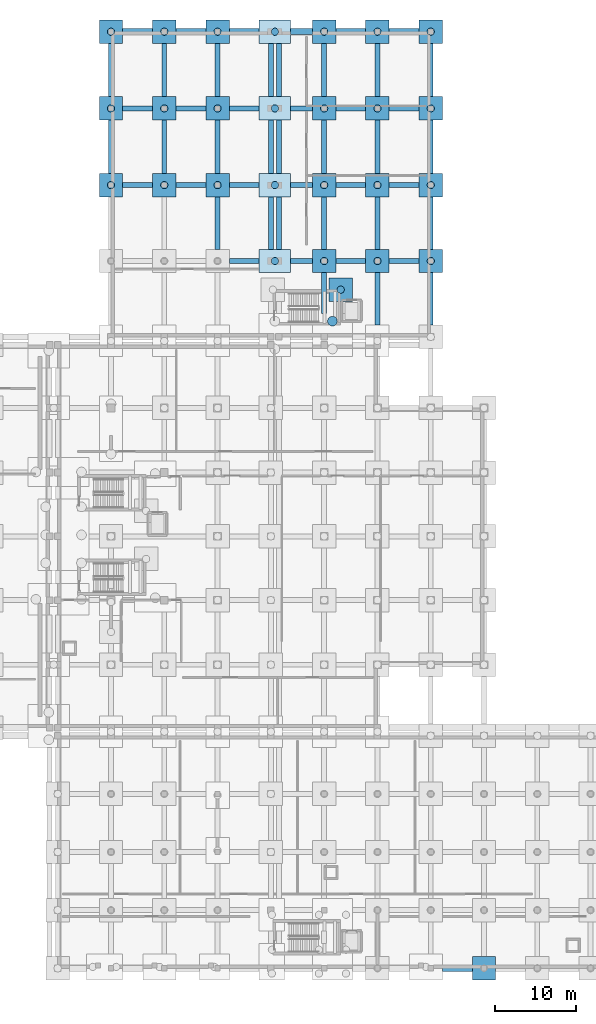
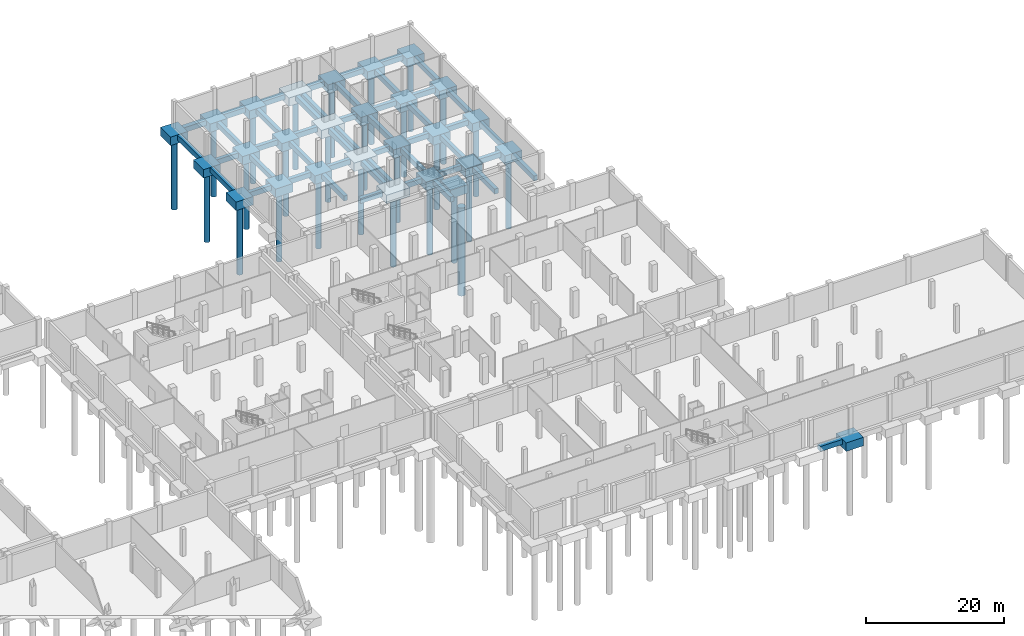
# One storey, part 10 of 29: 75 footings, 27 piles.
"""IFC4 building model written with IfcOpenShell, lengths in metres."""

from ifc_helpers import new_model, si_unit, direction, frame, origin, origin_2d, place, context, subcontext, project, spatial, polyline, rectangle, circle, outline, extrude, material, material_profile, profile_set, type_object, element, save


model = new_model("IFC4")

# Units and contexts
model_context = context("Model", 3, precision=1e-05, world=origin(), true_north=direction((0.0, 1.0)))
body_context = subcontext(model_context, "Body", "Model", "MODEL_VIEW")
ifc_project = project(units=[si_unit("LENGTHUNIT", "METRE"), si_unit("AREAUNIT", "SQUARE_METRE"), si_unit("VOLUMEUNIT", "CUBIC_METRE"), si_unit("PLANEANGLEUNIT", "RADIAN"), si_unit("MASSUNIT", "GRAM", prefix="KILO")], contexts=[model_context])

# Site, building, storey
site_placement = place(None, origin())
site = spatial("IfcSite", under=ifc_project, at=site_placement, CompositionType="ELEMENT")
building_placement = place(site_placement, origin())
building = spatial("IfcBuilding", under=site, at=building_placement, Name="Kelarvand Opera House", CompositionType="ELEMENT")
storey_placement = place(building_placement, frame((0.0, 0.0, -9.60009765625)))
storey = spatial("IfcBuildingStorey", under=building, at=storey_placement, Name="B2", CompositionType="ELEMENT", Elevation=-9.60009765625)

# Piles
ifc_material = material(Name="Concrete C40/50", Category="concrete")
ifc_material_profile_1 = material_profile(ifc_material, circle(Radius=0.60009765625, at=origin_2d()), Name="BP 1200", Category="concrete")
ifc_profile_set_1 = profile_set([ifc_material_profile_1], Name="Concrete C40/50")
pile_type_1 = type_object("IfcPileType", Name="Bored Pile 1200 Concrete C40/50", PredefinedType="BORED", material=ifc_profile_set_1)
pile_placement = place(storey_placement, frame((123.02490234375, 89.14990234375, -1.7998046875), z_axis=(0.0, 0.0, -1.0), x_axis=(1.0, 0.0, 0.0)))
element("IfcPile", 1, at=pile_placement, inside=storey, type_object=pile_type_1, Name="V1 Bored Pile 227", PredefinedType="BORED", context=body_context, shape_type="SweptSolid", body=[
    extrude(circle(Radius=0.60009765625, at=origin_2d()), origin(), (0.0, 0.0, 1.0), 15.60009765625),
])
ifc_material_profile_2 = material_profile(ifc_material, circle(Radius=0.449951171875, at=origin_2d()), Name="BP 900", Category="concrete")
ifc_profile_set_2 = profile_set([ifc_material_profile_2], Name="Concrete C40/50")
pile_type_2 = type_object("IfcPileType", Name="Bored Pile 900 Concrete C40/50", PredefinedType="BORED", material=ifc_profile_set_2)
for number, where, z_axis, x_axis, name in (
    (2, (124.050048828125, 93.050048828125, -1.7998046875), (0.0, 0.0, -1.0), (1.0, 0.0, 0.0), "V5 Bored Pile 245"),
    (3, (115.89990234375, 96.60009765625, -1.7998046875), (0.0, 0.0, -1.0), (1.0, 0.0, 0.0), "V5 Bored Pile 255"),
    (4, (122.0, 96.60009765625, -1.7998046875), (0.0, 0.0, -1.0), (1.0, 0.0, 0.0), "V5 Bored Pile 256"),
    (5, (128.60009765625, 96.60009765625, -1.7998046875), (0.0, 0.0, -1.0), (1.0, 0.0, 0.0), "V5 Bored Pile 257"),
    (6, (135.199951171875, 96.60009765625, -1.7998046875), (0.0, 0.0, -1.0), (1.0, 0.0, 0.0), "V5 Bored Pile 258"),
    (7, (95.60009765625, 106.0, -1.7998046875), (0.0, 0.0, -1.0), (1.0, 0.0, 0.0), "V5 Bored Pile 266"),
    (8, (102.199951171875, 106.0, -1.7998046875), (0.0, 0.0, -1.0), (1.0, 0.0, 0.0), "V5 Bored Pile 267"),
    (9, (108.800048828125, 106.0, -1.7998046875), (0.0, 0.0, -1.0), (1.0, 0.0, 0.0), "V5 Bored Pile 268"),
    (10, (115.89990234375, 106.0, -1.7998046875), (0.0, 0.0, -1.0), (1.0, 0.0, 0.0), "V5 Bored Pile 269"),
    (11, (122.0, 106.0, -1.7998046875), (0.0, 0.0, -1.0), (1.0, 0.0, 0.0), "V5 Bored Pile 270"),
    (12, (128.60009765625, 106.0, -1.7998046875), (0.0, 0.0, -1.0), (1.0, 0.0, 0.0), "V5 Bored Pile 271"),
    (13, (135.199951171875, 106.0, -1.7998046875), (0.0, 0.0, -1.0), (1.0, 0.0, 0.0), "V5 Bored Pile 272"),
    (14, (95.60009765625, 115.5, -1.7998046875), (0.0, 0.0, -1.0), (1.0, 0.0, 0.0), "V5 Bored Pile 280"),
    (15, (102.199951171875, 115.5, -1.7998046875), (0.0, 0.0, -1.0), (1.0, 0.0, 0.0), "V5 Bored Pile 281"),
    (16, (108.800048828125, 115.5, -1.7998046875), (0.0, 0.0, -1.0), (1.0, 0.0, 0.0), "V5 Bored Pile 282"),
    (17, (115.89990234375, 115.5, -1.7998046875), (0.0, 0.0, -1.0), (1.0, 0.0, 0.0), "V5 Bored Pile 283"),
    (18, (122.0, 115.5, -1.7998046875), (0.0, 0.0, -1.0), (1.0, 0.0, 0.0), "V5 Bored Pile 284"),
    (19, (128.60009765625, 115.5, -1.7998046875), (0.0, 0.0, -1.0), (1.0, 0.0, 0.0), "V5 Bored Pile 285"),
    (20, (135.199951171875, 115.5, -1.7998046875), (0.0, 0.0, -1.0), (1.0, 0.0, 0.0), "V5 Bored Pile 286"),
    (21, (95.60009765625, 125.0, -1.7998046875), (0.0, 0.0, -1.0), (1.0, 0.0, 0.0), "V5 Bored Pile 294"),
    (22, (102.199951171875, 125.0, -1.7998046875), (0.0, 0.0, -1.0), (1.0, 0.0, 0.0), "V5 Bored Pile 295"),
    (23, (108.800048828125, 125.0, -1.7998046875), (0.0, 0.0, -1.0), (1.0, 0.0, 0.0), "V5 Bored Pile 296"),
    (24, (115.89990234375, 125.0, -1.7998046875), (0.0, 0.0, -1.0), (1.0, 0.0, 0.0), "V5 Bored Pile 297"),
    (25, (122.0, 125.0, -1.7998046875), (0.0, 0.0, -1.0), (1.0, 0.0, 0.0), "V5 Bored Pile 298"),
    (26, (128.60009765625, 125.0, -1.7998046875), (0.0, 0.0, -1.0), (1.0, 0.0, 0.0), "V5 Bored Pile 299"),
    (27, (135.199951171875, 125.0, -1.7998046875), (0.0, 0.0, -1.0), (1.0, 0.0, 0.0), "V5 Bored Pile 300"),
):
    element("IfcPile", number, at=place(storey_placement, frame(where, z_axis=z_axis, x_axis=x_axis)), inside=storey, type_object=pile_type_2, Name=name, PredefinedType="BORED", context=body_context, shape_type="SweptSolid", body=[
        extrude(circle(Radius=0.449951171875, at=origin_2d()), origin(), (0.0, 0.0, 1.0), 12.60009765625),
    ])

# Footings
footing_type_1 = type_object("IfcFootingType", Name="Ground Tie Beam 600x900 Concrete C40/50", PredefinedType="FOOTING_BEAM", material=ifc_material)
footing_1_placement = place(storey_placement, frame((0.0, 0.0, -1.2998046875)))
element("IfcFooting", 28, at=footing_1_placement, inside=storey, type_object=footing_type_1, Name="Ground Beam 226", PredefinedType="FOOTING_BEAM", context=body_context, shape_type="SweptSolid", body=[
    extrude(outline(polyline([(110.25, 96.300048828125), (113.949951171875, 96.300048828125), (113.949951171875, 96.89990234375), (110.25, 96.89990234375), (110.25, 96.300048828125)])), origin(), (0.0, 0.0, 1.0), 0.89990234375),
])
footing_2_placement = place(storey_placement, frame((0.0, 0.0, -1.2998046875)))
element("IfcFooting", 29, at=footing_2_placement, inside=storey, type_object=footing_type_1, Name="Ground Beam 227", PredefinedType="FOOTING_BEAM", context=body_context, shape_type="SweptSolid", body=[
    extrude(outline(polyline([(117.85009765625, 96.300048828125), (120.550048828125, 96.300048828125), (120.550048828125, 96.89990234375), (117.85009765625, 96.89990234375), (117.85009765625, 96.300048828125)])), origin(), (0.0, 0.0, 1.0), 0.89990234375),
])
footing_3_placement = place(storey_placement, frame((0.0, 0.0, -1.2998046875)))
element("IfcFooting", 30, at=footing_3_placement, inside=storey, type_object=footing_type_1, Name="Ground Beam 228", PredefinedType="FOOTING_BEAM", context=body_context, shape_type="SweptSolid", body=[
    extrude(outline(polyline([(123.449951171875, 96.300048828125), (127.14990234375, 96.300048828125), (127.14990234375, 96.89990234375), (123.449951171875, 96.89990234375), (123.449951171875, 96.300048828125)])), origin(), (0.0, 0.0, 1.0), 0.89990234375),
])
footing_4_placement = place(storey_placement, frame((0.0, 0.0, -1.2998046875)))
element("IfcFooting", 31, at=footing_4_placement, inside=storey, type_object=footing_type_1, Name="Ground Beam 229", PredefinedType="FOOTING_BEAM", context=body_context, shape_type="SweptSolid", body=[
    extrude(outline(polyline([(130.050048828125, 96.300048828125), (133.75, 96.300048828125), (133.75, 96.89990234375), (130.050048828125, 96.89990234375), (130.050048828125, 96.300048828125)])), origin(), (0.0, 0.0, 1.0), 0.89990234375),
])
footing_5_placement = place(storey_placement, frame((0.0, 0.0, -1.2998046875)))
element("IfcFooting", 32, at=footing_5_placement, inside=storey, type_object=footing_type_1, Name="Ground Beam 235", PredefinedType="FOOTING_BEAM", context=body_context, shape_type="SweptSolid", body=[
    extrude(outline(polyline([(97.050048828125, 105.699951171875), (100.75, 105.699951171875), (100.75, 106.300048828125), (97.050048828125, 106.300048828125), (97.050048828125, 105.699951171875)])), origin(), (0.0, 0.0, 1.0), 0.89990234375),
])
footing_6_placement = place(storey_placement, frame((0.0, 0.0, -1.2998046875)))
element("IfcFooting", 33, at=footing_6_placement, inside=storey, type_object=footing_type_1, Name="Ground Beam 236", PredefinedType="FOOTING_BEAM", context=body_context, shape_type="SweptSolid", body=[
    extrude(outline(polyline([(103.64990234375, 105.699951171875), (107.35009765625, 105.699951171875), (107.35009765625, 106.300048828125), (103.64990234375, 106.300048828125), (103.64990234375, 105.699951171875)])), origin(), (0.0, 0.0, 1.0), 0.89990234375),
])
footing_7_placement = place(storey_placement, frame((0.0, 0.0, -1.2998046875)))
element("IfcFooting", 34, at=footing_7_placement, inside=storey, type_object=footing_type_1, Name="Ground Beam 237", PredefinedType="FOOTING_BEAM", context=body_context, shape_type="SweptSolid", body=[
    extrude(outline(polyline([(110.25, 105.699951171875), (113.949951171875, 105.699951171875), (113.949951171875, 106.300048828125), (110.25, 106.300048828125), (110.25, 105.699951171875)])), origin(), (0.0, 0.0, 1.0), 0.89990234375),
])
footing_8_placement = place(storey_placement, frame((0.0, 0.0, -1.2998046875)))
element("IfcFooting", 35, at=footing_8_placement, inside=storey, type_object=footing_type_1, Name="Ground Beam 238", PredefinedType="FOOTING_BEAM", context=body_context, shape_type="SweptSolid", body=[
    extrude(outline(polyline([(117.85009765625, 105.699951171875), (120.550048828125, 105.699951171875), (120.550048828125, 106.300048828125), (117.85009765625, 106.300048828125), (117.85009765625, 105.699951171875)])), origin(), (0.0, 0.0, 1.0), 0.89990234375),
])
footing_9_placement = place(storey_placement, frame((0.0, 0.0, -1.2998046875)))
element("IfcFooting", 36, at=footing_9_placement, inside=storey, type_object=footing_type_1, Name="Ground Beam 239", PredefinedType="FOOTING_BEAM", context=body_context, shape_type="SweptSolid", body=[
    extrude(outline(polyline([(123.449951171875, 105.699951171875), (127.14990234375, 105.699951171875), (127.14990234375, 106.300048828125), (123.449951171875, 106.300048828125), (123.449951171875, 105.699951171875)])), origin(), (0.0, 0.0, 1.0), 0.89990234375),
])
footing_10_placement = place(storey_placement, frame((0.0, 0.0, -1.2998046875)))
element("IfcFooting", 37, at=footing_10_placement, inside=storey, type_object=footing_type_1, Name="Ground Beam 240", PredefinedType="FOOTING_BEAM", context=body_context, shape_type="SweptSolid", body=[
    extrude(outline(polyline([(130.050048828125, 105.699951171875), (133.75, 105.699951171875), (133.75, 106.300048828125), (130.050048828125, 106.300048828125), (130.050048828125, 105.699951171875)])), origin(), (0.0, 0.0, 1.0), 0.89990234375),
])
footing_11_placement = place(storey_placement, frame((0.0, 0.0, -1.2998046875)))
element("IfcFooting", 38, at=footing_11_placement, inside=storey, type_object=footing_type_1, Name="Ground Beam 246", PredefinedType="FOOTING_BEAM", context=body_context, shape_type="SweptSolid", body=[
    extrude(outline(polyline([(97.050048828125, 115.199951171875), (100.75, 115.199951171875), (100.75, 115.800048828125), (97.050048828125, 115.800048828125), (97.050048828125, 115.199951171875)])), origin(), (0.0, 0.0, 1.0), 0.89990234375),
])
footing_12_placement = place(storey_placement, frame((0.0, 0.0, -1.2998046875)))
element("IfcFooting", 39, at=footing_12_placement, inside=storey, type_object=footing_type_1, Name="Ground Beam 247", PredefinedType="FOOTING_BEAM", context=body_context, shape_type="SweptSolid", body=[
    extrude(outline(polyline([(103.64990234375, 115.199951171875), (107.35009765625, 115.199951171875), (107.35009765625, 115.800048828125), (103.64990234375, 115.800048828125), (103.64990234375, 115.199951171875)])), origin(), (0.0, 0.0, 1.0), 0.89990234375),
])
footing_13_placement = place(storey_placement, frame((0.0, 0.0, -1.2998046875)))
element("IfcFooting", 40, at=footing_13_placement, inside=storey, type_object=footing_type_1, Name="Ground Beam 248", PredefinedType="FOOTING_BEAM", context=body_context, shape_type="SweptSolid", body=[
    extrude(outline(polyline([(110.25, 115.199951171875), (113.949951171875, 115.199951171875), (113.949951171875, 115.800048828125), (110.25, 115.800048828125), (110.25, 115.199951171875)])), origin(), (0.0, 0.0, 1.0), 0.89990234375),
])
footing_14_placement = place(storey_placement, frame((0.0, 0.0, -1.2998046875)))
element("IfcFooting", 41, at=footing_14_placement, inside=storey, type_object=footing_type_1, Name="Ground Beam 249", PredefinedType="FOOTING_BEAM", context=body_context, shape_type="SweptSolid", body=[
    extrude(outline(polyline([(117.85009765625, 115.199951171875), (120.550048828125, 115.199951171875), (120.550048828125, 115.800048828125), (117.85009765625, 115.800048828125), (117.85009765625, 115.199951171875)])), origin(), (0.0, 0.0, 1.0), 0.89990234375),
])
footing_15_placement = place(storey_placement, frame((0.0, 0.0, -1.2998046875)))
element("IfcFooting", 42, at=footing_15_placement, inside=storey, type_object=footing_type_1, Name="Ground Beam 250", PredefinedType="FOOTING_BEAM", context=body_context, shape_type="SweptSolid", body=[
    extrude(outline(polyline([(123.449951171875, 115.199951171875), (127.14990234375, 115.199951171875), (127.14990234375, 115.800048828125), (123.449951171875, 115.800048828125), (123.449951171875, 115.199951171875)])), origin(), (0.0, 0.0, 1.0), 0.89990234375),
])
footing_16_placement = place(storey_placement, frame((0.0, 0.0, -1.2998046875)))
element("IfcFooting", 43, at=footing_16_placement, inside=storey, type_object=footing_type_1, Name="Ground Beam 251", PredefinedType="FOOTING_BEAM", context=body_context, shape_type="SweptSolid", body=[
    extrude(outline(polyline([(130.050048828125, 115.199951171875), (133.75, 115.199951171875), (133.75, 115.800048828125), (130.050048828125, 115.800048828125), (130.050048828125, 115.199951171875)])), origin(), (0.0, 0.0, 1.0), 0.89990234375),
])
footing_17_placement = place(storey_placement, frame((0.0, 0.0, -1.2998046875)))
element("IfcFooting", 44, at=footing_17_placement, inside=storey, type_object=footing_type_1, Name="Ground Beam 403", PredefinedType="FOOTING_BEAM", context=body_context, shape_type="SweptSolid", body=[
    extrude(outline(polyline([(95.300048828125, 107.449951171875), (95.89990234375, 107.449951171875), (95.89990234375, 114.050048828125), (95.300048828125, 114.050048828125), (95.300048828125, 107.449951171875)])), origin(), (0.0, 0.0, 1.0), 0.89990234375),
])
footing_18_placement = place(storey_placement, frame((0.0, 0.0, -1.2998046875)))
element("IfcFooting", 45, at=footing_18_placement, inside=storey, type_object=footing_type_1, Name="Ground Beam 404", PredefinedType="FOOTING_BEAM", context=body_context, shape_type="SweptSolid", body=[
    extrude(outline(polyline([(95.300048828125, 116.949951171875), (95.89990234375, 116.949951171875), (95.89990234375, 123.550048828125), (95.300048828125, 123.550048828125), (95.300048828125, 116.949951171875)])), origin(), (0.0, 0.0, 1.0), 0.89990234375),
])
footing_19_placement = place(storey_placement, frame((0.0, 0.0, -1.2998046875)))
element("IfcFooting", 46, at=footing_19_placement, inside=storey, type_object=footing_type_1, Name="Ground Beam 415", PredefinedType="FOOTING_BEAM", context=body_context, shape_type="SweptSolid", body=[
    extrude(outline(polyline([(101.89990234375, 107.449951171875), (102.5, 107.449951171875), (102.5, 114.050048828125), (101.89990234375, 114.050048828125), (101.89990234375, 107.449951171875)])), origin(), (0.0, 0.0, 1.0), 0.89990234375),
])
footing_20_placement = place(storey_placement, frame((0.0, 0.0, -1.2998046875)))
element("IfcFooting", 47, at=footing_20_placement, inside=storey, type_object=footing_type_1, Name="Ground Beam 416", PredefinedType="FOOTING_BEAM", context=body_context, shape_type="SweptSolid", body=[
    extrude(outline(polyline([(101.89990234375, 116.949951171875), (102.5, 116.949951171875), (102.5, 123.550048828125), (101.89990234375, 123.550048828125), (101.89990234375, 116.949951171875)])), origin(), (0.0, 0.0, 1.0), 0.89990234375),
])
footing_21_placement = place(storey_placement, frame((0.0, 0.0, -1.2998046875)))
element("IfcFooting", 48, at=footing_21_placement, inside=storey, type_object=footing_type_1, Name="Ground Beam 428", PredefinedType="FOOTING_BEAM", context=body_context, shape_type="SweptSolid", body=[
    extrude(outline(polyline([(108.5, 98.050048828125), (109.10009765625, 98.050048828125), (109.10009765625, 104.550048828125), (108.5, 104.550048828125), (108.5, 98.050048828125)])), origin(), (0.0, 0.0, 1.0), 0.89990234375),
])
footing_22_placement = place(storey_placement, frame((0.0, 0.0, -1.2998046875)))
element("IfcFooting", 49, at=footing_22_placement, inside=storey, type_object=footing_type_1, Name="Ground Beam 429", PredefinedType="FOOTING_BEAM", context=body_context, shape_type="SweptSolid", body=[
    extrude(outline(polyline([(108.5, 107.449951171875), (109.10009765625, 107.449951171875), (109.10009765625, 114.050048828125), (108.5, 114.050048828125), (108.5, 107.449951171875)])), origin(), (0.0, 0.0, 1.0), 0.89990234375),
])
footing_23_placement = place(storey_placement, frame((0.0, 0.0, -1.2998046875)))
element("IfcFooting", 50, at=footing_23_placement, inside=storey, type_object=footing_type_1, Name="Ground Beam 430", PredefinedType="FOOTING_BEAM", context=body_context, shape_type="SweptSolid", body=[
    extrude(outline(polyline([(108.5, 116.949951171875), (109.10009765625, 116.949951171875), (109.10009765625, 123.550048828125), (108.5, 123.550048828125), (108.5, 116.949951171875)])), origin(), (0.0, 0.0, 1.0), 0.89990234375),
])
footing_24_placement = place(storey_placement, frame((0.0, 0.0, -1.2998046875)))
element("IfcFooting", 51, at=footing_24_placement, inside=storey, type_object=footing_type_1, Name="Ground Beam 442", PredefinedType="FOOTING_BEAM", context=body_context, shape_type="SweptSolid", body=[
    extrude(outline(polyline([(115.10009765625, 98.050048828125), (115.699951171875, 98.050048828125), (115.699951171875, 104.550048828125), (115.10009765625, 104.550048828125), (115.10009765625, 98.050048828125)])), origin(), (0.0, 0.0, 1.0), 0.89990234375),
])
footing_25_placement = place(storey_placement, frame((0.0, 0.0, -1.2998046875)))
element("IfcFooting", 52, at=footing_25_placement, inside=storey, type_object=footing_type_1, Name="Ground Beam 443", PredefinedType="FOOTING_BEAM", context=body_context, shape_type="SweptSolid", body=[
    extrude(outline(polyline([(115.10009765625, 107.449951171875), (115.699951171875, 107.449951171875), (115.699951171875, 114.050048828125), (115.10009765625, 114.050048828125), (115.10009765625, 107.449951171875)])), origin(), (0.0, 0.0, 1.0), 0.89990234375),
])
footing_26_placement = place(storey_placement, frame((0.0, 0.0, -1.2998046875)))
element("IfcFooting", 53, at=footing_26_placement, inside=storey, type_object=footing_type_1, Name="Ground Beam 444", PredefinedType="FOOTING_BEAM", context=body_context, shape_type="SweptSolid", body=[
    extrude(outline(polyline([(115.10009765625, 116.949951171875), (115.699951171875, 116.949951171875), (115.699951171875, 123.550048828125), (115.10009765625, 123.550048828125), (115.10009765625, 116.949951171875)])), origin(), (0.0, 0.0, 1.0), 0.89990234375),
])
footing_27_placement = place(storey_placement, frame((0.0, 0.0, -1.2998046875)))
element("IfcFooting", 54, at=footing_27_placement, inside=storey, type_object=footing_type_1, Name="Ground Beam 456", PredefinedType="FOOTING_BEAM", context=body_context, shape_type="SweptSolid", body=[
    extrude(outline(polyline([(116.10009765625, 98.050048828125), (116.699951171875, 98.050048828125), (116.699951171875, 104.550048828125), (116.10009765625, 104.550048828125), (116.10009765625, 98.050048828125)])), origin(), (0.0, 0.0, 1.0), 0.89990234375),
])
footing_28_placement = place(storey_placement, frame((0.0, 0.0, -1.2998046875)))
element("IfcFooting", 55, at=footing_28_placement, inside=storey, type_object=footing_type_1, Name="Ground Beam 457", PredefinedType="FOOTING_BEAM", context=body_context, shape_type="SweptSolid", body=[
    extrude(outline(polyline([(116.10009765625, 107.449951171875), (116.699951171875, 107.449951171875), (116.699951171875, 114.050048828125), (116.10009765625, 114.050048828125), (116.10009765625, 107.449951171875)])), origin(), (0.0, 0.0, 1.0), 0.89990234375),
])
footing_29_placement = place(storey_placement, frame((0.0, 0.0, -1.2998046875)))
element("IfcFooting", 56, at=footing_29_placement, inside=storey, type_object=footing_type_1, Name="Ground Beam 458", PredefinedType="FOOTING_BEAM", context=body_context, shape_type="SweptSolid", body=[
    extrude(outline(polyline([(116.10009765625, 116.949951171875), (116.699951171875, 116.949951171875), (116.699951171875, 123.550048828125), (116.10009765625, 123.550048828125), (116.10009765625, 116.949951171875)])), origin(), (0.0, 0.0, 1.0), 0.89990234375),
])
footing_30_placement = place(storey_placement, frame((0.0, 0.0, -1.2998046875)))
element("IfcFooting", 57, at=footing_30_placement, inside=storey, type_object=footing_type_1, Name="Ground Beam 469", PredefinedType="FOOTING_BEAM", context=body_context, shape_type="SweptSolid", body=[
    extrude(outline(polyline([(121.699951171875, 90.10009765625), (122.300048828125, 90.10009765625), (122.300048828125, 95.14990234375), (121.699951171875, 95.14990234375), (121.699951171875, 90.10009765625)])), origin(), (0.0, 0.0, 1.0), 0.89990234375),
])
footing_31_placement = place(storey_placement, frame((0.0, 0.0, -1.2998046875)))
element("IfcFooting", 58, at=footing_31_placement, inside=storey, type_object=footing_type_1, Name="Ground Beam 470", PredefinedType="FOOTING_BEAM", context=body_context, shape_type="SweptSolid", body=[
    extrude(outline(polyline([(121.699951171875, 98.050048828125), (122.300048828125, 98.050048828125), (122.300048828125, 104.550048828125), (121.699951171875, 104.550048828125), (121.699951171875, 98.050048828125)])), origin(), (0.0, 0.0, 1.0), 0.89990234375),
])
footing_32_placement = place(storey_placement, frame((0.0, 0.0, -1.2998046875)))
element("IfcFooting", 59, at=footing_32_placement, inside=storey, type_object=footing_type_1, Name="Ground Beam 471", PredefinedType="FOOTING_BEAM", context=body_context, shape_type="SweptSolid", body=[
    extrude(outline(polyline([(121.699951171875, 107.449951171875), (122.300048828125, 107.449951171875), (122.300048828125, 114.050048828125), (121.699951171875, 114.050048828125), (121.699951171875, 107.449951171875)])), origin(), (0.0, 0.0, 1.0), 0.89990234375),
])
footing_33_placement = place(storey_placement, frame((0.0, 0.0, -1.2998046875)))
element("IfcFooting", 60, at=footing_33_placement, inside=storey, type_object=footing_type_1, Name="Ground Beam 472", PredefinedType="FOOTING_BEAM", context=body_context, shape_type="SweptSolid", body=[
    extrude(outline(polyline([(121.699951171875, 116.949951171875), (122.300048828125, 116.949951171875), (122.300048828125, 123.550048828125), (121.699951171875, 123.550048828125), (121.699951171875, 116.949951171875)])), origin(), (0.0, 0.0, 1.0), 0.89990234375),
])
footing_34_placement = place(storey_placement, frame((0.0, 0.0, -1.2998046875)))
element("IfcFooting", 61, at=footing_34_placement, inside=storey, type_object=footing_type_1, Name="Ground Beam 483", PredefinedType="FOOTING_BEAM", context=body_context, shape_type="SweptSolid", body=[
    extrude(outline(polyline([(128.300048828125, 88.64990234375), (128.89990234375, 88.64990234375), (128.89990234375, 95.14990234375), (128.300048828125, 95.14990234375), (128.300048828125, 88.64990234375)])), origin(), (0.0, 0.0, 1.0), 0.89990234375),
])
footing_35_placement = place(storey_placement, frame((0.0, 0.0, -1.2998046875)))
element("IfcFooting", 62, at=footing_35_placement, inside=storey, type_object=footing_type_1, Name="Ground Beam 484", PredefinedType="FOOTING_BEAM", context=body_context, shape_type="SweptSolid", body=[
    extrude(outline(polyline([(128.300048828125, 98.050048828125), (128.89990234375, 98.050048828125), (128.89990234375, 104.550048828125), (128.300048828125, 104.550048828125), (128.300048828125, 98.050048828125)])), origin(), (0.0, 0.0, 1.0), 0.89990234375),
])
footing_36_placement = place(storey_placement, frame((0.0, 0.0, -1.2998046875)))
element("IfcFooting", 63, at=footing_36_placement, inside=storey, type_object=footing_type_1, Name="Ground Beam 485", PredefinedType="FOOTING_BEAM", context=body_context, shape_type="SweptSolid", body=[
    extrude(outline(polyline([(128.300048828125, 107.449951171875), (128.89990234375, 107.449951171875), (128.89990234375, 114.050048828125), (128.300048828125, 114.050048828125), (128.300048828125, 107.449951171875)])), origin(), (0.0, 0.0, 1.0), 0.89990234375),
])
footing_37_placement = place(storey_placement, frame((0.0, 0.0, -1.2998046875)))
element("IfcFooting", 64, at=footing_37_placement, inside=storey, type_object=footing_type_1, Name="Ground Beam 486", PredefinedType="FOOTING_BEAM", context=body_context, shape_type="SweptSolid", body=[
    extrude(outline(polyline([(128.300048828125, 116.949951171875), (128.89990234375, 116.949951171875), (128.89990234375, 123.550048828125), (128.300048828125, 123.550048828125), (128.300048828125, 116.949951171875)])), origin(), (0.0, 0.0, 1.0), 0.89990234375),
])
footing_38_placement = place(storey_placement, frame((0.0, 0.0, -1.2998046875)))
element("IfcFooting", 65, at=footing_38_placement, inside=storey, type_object=footing_type_1, Name="Ground Beam 497", PredefinedType="FOOTING_BEAM", context=body_context, shape_type="SweptSolid", body=[
    extrude(outline(polyline([(134.89990234375, 88.64990234375), (135.5, 88.64990234375), (135.5, 95.14990234375), (134.89990234375, 95.14990234375), (134.89990234375, 88.64990234375)])), origin(), (0.0, 0.0, 1.0), 0.89990234375),
])
footing_39_placement = place(storey_placement, frame((0.0, 0.0, -1.2998046875)))
element("IfcFooting", 66, at=footing_39_placement, inside=storey, type_object=footing_type_1, Name="Ground Beam 498", PredefinedType="FOOTING_BEAM", context=body_context, shape_type="SweptSolid", body=[
    extrude(outline(polyline([(134.89990234375, 98.050048828125), (135.5, 98.050048828125), (135.5, 104.550048828125), (134.89990234375, 104.550048828125), (134.89990234375, 98.050048828125)])), origin(), (0.0, 0.0, 1.0), 0.89990234375),
])
footing_40_placement = place(storey_placement, frame((0.0, 0.0, -1.2998046875)))
element("IfcFooting", 67, at=footing_40_placement, inside=storey, type_object=footing_type_1, Name="Ground Beam 499", PredefinedType="FOOTING_BEAM", context=body_context, shape_type="SweptSolid", body=[
    extrude(outline(polyline([(134.89990234375, 107.449951171875), (135.5, 107.449951171875), (135.5, 114.050048828125), (134.89990234375, 114.050048828125), (134.89990234375, 107.449951171875)])), origin(), (0.0, 0.0, 1.0), 0.89990234375),
])
footing_41_placement = place(storey_placement, frame((0.0, 0.0, -1.2998046875)))
element("IfcFooting", 68, at=footing_41_placement, inside=storey, type_object=footing_type_1, Name="Ground Beam 500", PredefinedType="FOOTING_BEAM", context=body_context, shape_type="SweptSolid", body=[
    extrude(outline(polyline([(134.89990234375, 116.949951171875), (135.5, 116.949951171875), (135.5, 123.550048828125), (134.89990234375, 123.550048828125), (134.89990234375, 116.949951171875)])), origin(), (0.0, 0.0, 1.0), 0.89990234375),
])
footing_type_2 = type_object("IfcFootingType", Name="Perimeter Strip Footing 750x900 Concrete C40/50", PredefinedType="STRIP_FOOTING", material=ifc_material)
footing_42_placement = place(storey_placement, frame((0.0, 0.0, -1.2998046875)))
element("IfcFooting", 69, at=footing_42_placement, inside=storey, type_object=footing_type_2, Name="Ground Beam 13", PredefinedType="STRIP_FOOTING", context=body_context, shape_type="SweptSolid", body=[
    extrude(outline(polyline([(136.64990234375, 8.625), (140.35009765625, 8.625), (140.35009765625, 9.375), (136.64990234375, 9.375), (136.64990234375, 8.625)])), origin(), (0.0, 0.0, 1.0), 0.89990234375),
])
footing_43_placement = place(storey_placement, frame((0.0, 0.0, -1.2998046875)))
element("IfcFooting", 70, at=footing_43_placement, inside=storey, type_object=footing_type_2, Name="Ground Beam 257", PredefinedType="STRIP_FOOTING", context=body_context, shape_type="SweptSolid", body=[
    extrude(outline(polyline([(97.050048828125, 124.625), (100.75, 124.625), (100.75, 125.375), (97.050048828125, 125.375), (97.050048828125, 124.625)])), origin(), (0.0, 0.0, 1.0), 0.89990234375),
])
footing_44_placement = place(storey_placement, frame((0.0, 0.0, -1.2998046875)))
element("IfcFooting", 71, at=footing_44_placement, inside=storey, type_object=footing_type_2, Name="Ground Beam 258", PredefinedType="STRIP_FOOTING", context=body_context, shape_type="SweptSolid", body=[
    extrude(outline(polyline([(103.64990234375, 124.625), (107.35009765625, 124.625), (107.35009765625, 125.375), (103.64990234375, 125.375), (103.64990234375, 124.625)])), origin(), (0.0, 0.0, 1.0), 0.89990234375),
])
footing_45_placement = place(storey_placement, frame((0.0, 0.0, -1.2998046875)))
element("IfcFooting", 72, at=footing_45_placement, inside=storey, type_object=footing_type_2, Name="Ground Beam 259", PredefinedType="STRIP_FOOTING", context=body_context, shape_type="SweptSolid", body=[
    extrude(outline(polyline([(110.25, 124.625), (113.949951171875, 124.625), (113.949951171875, 125.375), (110.25, 125.375), (110.25, 124.625)])), origin(), (0.0, 0.0, 1.0), 0.89990234375),
])
footing_46_placement = place(storey_placement, frame((0.0, 0.0, -1.2998046875)))
element("IfcFooting", 73, at=footing_46_placement, inside=storey, type_object=footing_type_2, Name="Ground Beam 260", PredefinedType="STRIP_FOOTING", context=body_context, shape_type="SweptSolid", body=[
    extrude(outline(polyline([(117.85009765625, 124.625), (120.550048828125, 124.625), (120.550048828125, 125.375), (117.85009765625, 125.375), (117.85009765625, 124.625)])), origin(), (0.0, 0.0, 1.0), 0.89990234375),
])
footing_47_placement = place(storey_placement, frame((0.0, 0.0, -1.2998046875)))
element("IfcFooting", 74, at=footing_47_placement, inside=storey, type_object=footing_type_2, Name="Ground Beam 261", PredefinedType="STRIP_FOOTING", context=body_context, shape_type="SweptSolid", body=[
    extrude(outline(polyline([(123.449951171875, 124.625), (127.14990234375, 124.625), (127.14990234375, 125.375), (123.449951171875, 125.375), (123.449951171875, 124.625)])), origin(), (0.0, 0.0, 1.0), 0.89990234375),
])
footing_48_placement = place(storey_placement, frame((0.0, 0.0, -1.2998046875)))
element("IfcFooting", 75, at=footing_48_placement, inside=storey, type_object=footing_type_2, Name="Ground Beam 262", PredefinedType="STRIP_FOOTING", context=body_context, shape_type="SweptSolid", body=[
    extrude(outline(polyline([(130.050048828125, 124.625), (133.75, 124.625), (133.75, 125.375), (130.050048828125, 125.375), (130.050048828125, 124.625)])), origin(), (0.0, 0.0, 1.0), 0.89990234375),
])
footing_type_3 = type_object("IfcFootingType", Name="Pile Cap 2900x2900x1500 PC-01", PredefinedType="PILE_CAP", material=ifc_material)
for number, where, z_axis, x_axis, name in (
    (76, (141.800048828125, 9.0, -1.89990234375), (0.0, 0.0, 1.0), (1.0, 0.0, 0.0), "V6 Pile Cap PC-01 (15)"),
    (77, (124.050048828125, 93.050048828125, -1.89990234375), (0.0, 0.0, 1.0), (1.0, 0.0, 0.0), "V5 Pile Cap PC-01 (220)"),
    (78, (122.0, 96.60009765625, -1.89990234375), (0.0, 0.0, 1.0), (1.0, 0.0, 0.0), "V5 Pile Cap PC-01 (231)"),
    (79, (128.60009765625, 96.60009765625, -1.89990234375), (0.0, 0.0, 1.0), (1.0, 0.0, 0.0), "V5 Pile Cap PC-01 (232)"),
    (80, (135.199951171875, 96.60009765625, -1.89990234375), (0.0, 0.0, 1.0), (1.0, 0.0, 0.0), "V5 Pile Cap PC-01 (233)"),
    (81, (95.60009765625, 106.0, -1.89990234375), (0.0, 0.0, 1.0), (1.0, 0.0, 0.0), "V5 Pile Cap PC-01 (241)"),
    (82, (102.199951171875, 106.0, -1.89990234375), (0.0, 0.0, 1.0), (1.0, 0.0, 0.0), "V5 Pile Cap PC-01 (242)"),
    (83, (108.800048828125, 106.0, -1.89990234375), (0.0, 0.0, 1.0), (1.0, 0.0, 0.0), "V5 Pile Cap PC-01 (243)"),
    (84, (122.0, 106.0, -1.89990234375), (0.0, 0.0, 1.0), (1.0, 0.0, 0.0), "V5 Pile Cap PC-01 (245)"),
    (85, (128.60009765625, 106.0, -1.89990234375), (0.0, 0.0, 1.0), (1.0, 0.0, 0.0), "V5 Pile Cap PC-01 (246)"),
    (86, (135.199951171875, 106.0, -1.89990234375), (0.0, 0.0, 1.0), (1.0, 0.0, 0.0), "V5 Pile Cap PC-01 (247)"),
    (87, (95.60009765625, 115.5, -1.89990234375), (0.0, 0.0, 1.0), (1.0, 0.0, 0.0), "V5 Pile Cap PC-01 (255)"),
    (88, (102.199951171875, 115.5, -1.89990234375), (0.0, 0.0, 1.0), (1.0, 0.0, 0.0), "V5 Pile Cap PC-01 (256)"),
    (89, (108.800048828125, 115.5, -1.89990234375), (0.0, 0.0, 1.0), (1.0, 0.0, 0.0), "V5 Pile Cap PC-01 (257)"),
    (90, (122.0, 115.5, -1.89990234375), (0.0, 0.0, 1.0), (1.0, 0.0, 0.0), "V5 Pile Cap PC-01 (259)"),
    (91, (128.60009765625, 115.5, -1.89990234375), (0.0, 0.0, 1.0), (1.0, 0.0, 0.0), "V5 Pile Cap PC-01 (260)"),
    (92, (135.199951171875, 115.5, -1.89990234375), (0.0, 0.0, 1.0), (1.0, 0.0, 0.0), "V5 Pile Cap PC-01 (261)"),
    (93, (95.60009765625, 125.0, -1.89990234375), (0.0, 0.0, 1.0), (1.0, 0.0, 0.0), "V5 Pile Cap PC-01 (269)"),
    (94, (102.199951171875, 125.0, -1.89990234375), (0.0, 0.0, 1.0), (1.0, 0.0, 0.0), "V5 Pile Cap PC-01 (270)"),
    (95, (108.800048828125, 125.0, -1.89990234375), (0.0, 0.0, 1.0), (1.0, 0.0, 0.0), "V5 Pile Cap PC-01 (271)"),
    (96, (122.0, 125.0, -1.89990234375), (0.0, 0.0, 1.0), (1.0, 0.0, 0.0), "V5 Pile Cap PC-01 (273)"),
    (97, (128.60009765625, 125.0, -1.89990234375), (0.0, 0.0, 1.0), (1.0, 0.0, 0.0), "V5 Pile Cap PC-01 (274)"),
    (98, (135.199951171875, 125.0, -1.89990234375), (0.0, 0.0, 1.0), (1.0, 0.0, 0.0), "V5 Pile Cap PC-01 (275)"),
):
    element("IfcFooting", number, at=place(storey_placement, frame(where, z_axis=z_axis, x_axis=x_axis)), inside=storey, type_object=footing_type_3, Name=name, PredefinedType="PILE_CAP", context=body_context, shape_type="SweptSolid", body=[
        extrude(rectangle(XDim=2.89990234375, YDim=2.89990234375, at=origin_2d()), origin(), (0.0, 0.0, 1.0), 1.5),
    ])
footing_type_4 = type_object("IfcFootingType", Name="Pile Cap 3900x2900x1500 PC-14", PredefinedType="PILE_CAP", material=ifc_material)
for number, where, z_axis, x_axis, name in (
    (99, (115.89990234375, 96.60009765625, -1.89990234375), (0.0, 0.0, 1.0), (1.0, 0.0, 0.0), "V5 Pile Cap PC-14 (230)"),
    (100, (115.89990234375, 106.0, -1.89990234375), (0.0, 0.0, 1.0), (1.0, 0.0, 0.0), "V5 Pile Cap PC-14 (244)"),
    (101, (115.89990234375, 115.5, -1.89990234375), (0.0, 0.0, 1.0), (1.0, 0.0, 0.0), "V5 Pile Cap PC-14 (258)"),
    (102, (115.89990234375, 125.0, -1.89990234375), (0.0, 0.0, 1.0), (1.0, 0.0, 0.0), "V5 Pile Cap PC-14 (272)"),
):
    element("IfcFooting", number, at=place(storey_placement, frame(where, z_axis=z_axis, x_axis=x_axis)), inside=storey, type_object=footing_type_4, Name=name, PredefinedType="PILE_CAP", context=body_context, shape_type="SweptSolid", body=[
        extrude(rectangle(XDim=3.89990234375, YDim=2.89990234375, at=origin_2d()), origin(), (0.0, 0.0, 1.0), 1.5),
    ])

save(model, "model.ifc")
